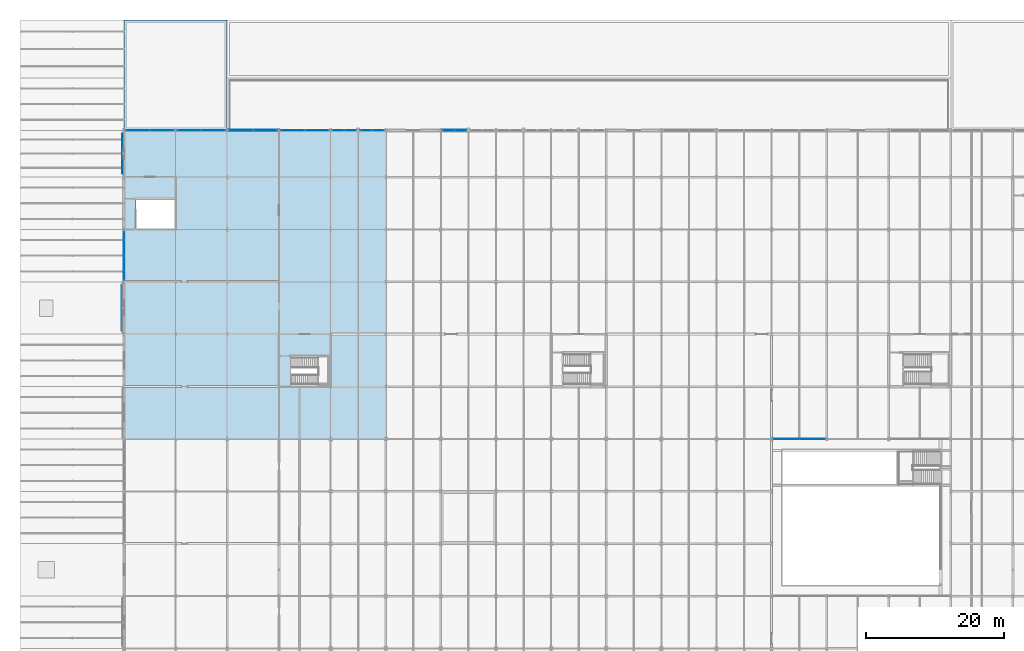
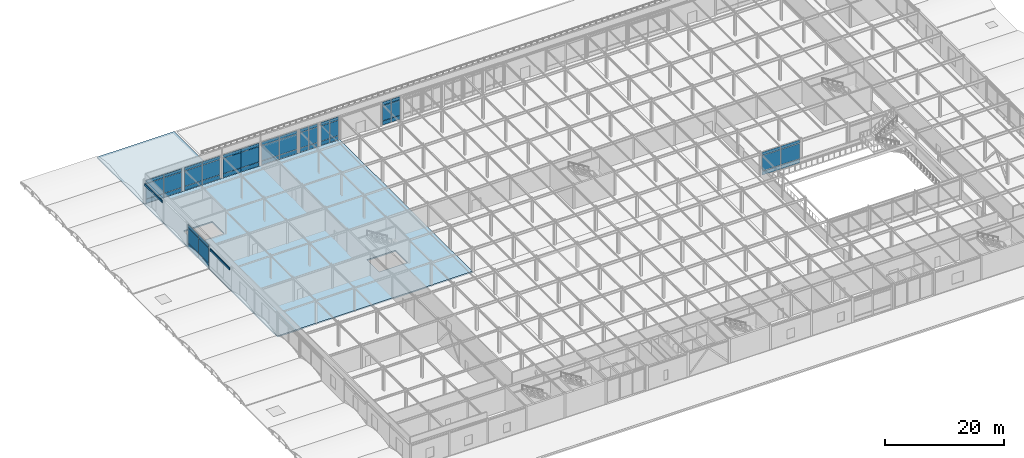
# One storey, part 89 of 113: 56 plates, 2 slabs, 9 elements without a shape of their own.
"""IFC4 building model written with IfcOpenShell, lengths in metres."""

from ifc_helpers import new_model, si_unit, direction, frame, origin, origin_2d, place, context, subcontext, project, spatial, polyline, rectangle, outline, extrude, material, layer, layer_set, type_object, element, aggregate, save


model = new_model("IFC4")

# Units and contexts
model_context = context("Model", 3, precision=1e-05, world=origin(), true_north=direction((0.0, 1.0)))
body_context = subcontext(model_context, "Body", "Model", "MODEL_VIEW")
ifc_project = project(units=[si_unit("LENGTHUNIT", "METRE"), si_unit("AREAUNIT", "SQUARE_METRE"), si_unit("VOLUMEUNIT", "CUBIC_METRE"), si_unit("PLANEANGLEUNIT", "RADIAN"), si_unit("MASSUNIT", "GRAM", prefix="KILO")], contexts=[model_context])

# Site, building, storey
site_placement = place(None, origin())
site = spatial("IfcSite", under=ifc_project, at=site_placement, CompositionType="ELEMENT")
building_placement = place(site_placement, origin())
building = spatial("IfcBuilding", under=site, at=building_placement, Name="Shalkamar Park Central Library", CompositionType="ELEMENT")
storey_placement = place(building_placement, frame((0.0, 0.0, 5.39990234375)))
storey = spatial("IfcBuildingStorey", under=building, at=storey_placement, Name="L02", CompositionType="ELEMENT", Elevation=5.39990234375)

# Plate
ifc_material_1 = material(Name="Anodized bronze architectural frieze plate", Category="aluminium")
ifc_layer_1 = layer(ifc_material_1, 0.110107421875)
ifc_layer_set_1 = layer_set([ifc_layer_1], Name="BronzeSpandrelFriezePlate_110")
plate_type_1 = type_object("IfcPlateType", Name="Bronze Spandrel Frieze Plate 110", PredefinedType="USERDEFINED", material=ifc_layer_set_1)
plate_1_placement = place(storey_placement, frame((134.804931640625, 334.60009765625, 4.16796875), z_axis=(0.0, 0.0, 1.0), x_axis=(1.0, 0.0, 0.0)))
element("IfcPlate", 1, at=plate_1_placement, inside=storey, type_object=plate_type_1, Name="Bronze Spandrel Frieze Plate L02-031", ObjectType="CLADDING", PredefinedType="USERDEFINED", context=body_context, shape_type="SweptSolid", body=[
    extrude(rectangle(XDim=0.110107421875, YDim=5.827880859375, at=origin_2d()), origin(), (0.0, 0.0, 1.0), 0.449951171875),
])

# Slab
ifc_material_2 = material(Name="Concrete C35/45", Category="concrete")
ifc_layer_2 = layer(ifc_material_2, 0.25)
ifc_layer_set_2 = layer_set([ifc_layer_2], Name="Concrete C35/45")
slab_type_1 = type_object("IfcSlabType", Name="Flat Roof Slab 140", PredefinedType="ROOF", material=ifc_layer_set_2)
slab_1_placement = place(storey_placement, frame((0.0, 0.0, -0.25)))
element("IfcSlab", 2, at=slab_1_placement, inside=storey, type_object=slab_type_1, Name="Flat Roof Slab RF-L01-NW", PredefinedType="ROOF", context=body_context, shape_type="SweptSolid", body=[
    extrude(outline(polyline([(135.0, 338.0), (150.0, 338.0), (150.0, 354.0), (135.0, 354.0), (135.0, 338.0)])), origin(), (0.0, 0.0, 1.0), 0.25),
])

# Curtain wall, plates
ifc_material_3 = material(Name="Thermally broken aluminium and triple low-e curtain wall", Category="aluminium")
ifc_layer_3 = layer(ifc_material_3, 0.27001953125)
ifc_layer_set_3 = layer_set([ifc_layer_3], Name="AtriumGlazedScreen_118")
curtain_wall_type_1 = type_object("IfcCurtainWallType", Name="Atrium Glazed Screen 118", PredefinedType="USERDEFINED", material=ifc_layer_set_3)
curtain_wall_1_placement = place(storey_placement, origin())
curtain_wall_1 = element("IfcCurtainWall", 3, at=curtain_wall_1_placement, inside=storey, type_object=curtain_wall_type_1, Name="Atrium Glazed Screen CW-L02-175", ObjectType="ATRIUM GLAZED SCREEN", PredefinedType="USERDEFINED")
ifc_material_4 = material(Name="Tempered clear atrium glass", Category="glass")
ifc_layer_4 = layer(ifc_material_4, 0.011962890625)
ifc_layer_set_4 = layer_set([ifc_layer_4], Name="InteriorAtriumGlassPanel_12")
plate_type_2 = type_object("IfcPlateType", Name="Interior Atrium Glass Panel 12", PredefinedType="CURTAIN_PANEL", material=ifc_layer_set_4)
plate_2_placement = place(storey_placement, frame((231.140869140625, 293.199951171875, 0.06494140625), z_axis=(0.0, 0.0, 1.0), x_axis=(1.0, 0.0, 0.0)))
plate_2 = element("IfcPlate", 4, at=plate_2_placement, type_object=plate_type_2, Name="CW-118 panel 1.1", PredefinedType="CURTAIN_PANEL", context=body_context, shape_type="SweptSolid", body=[
    extrude(rectangle(XDim=3.66357421875, YDim=0.011962890625, at=origin_2d()), origin(), (0.0, 0.0, 1.0), 0.802490234375),
])
plate_3_placement = place(storey_placement, frame((231.140869140625, 293.199951171875, 0.9326171875), z_axis=(0.0, 0.0, 1.0), x_axis=(1.0, 0.0, 0.0)))
plate_3 = element("IfcPlate", 5, at=plate_3_placement, type_object=plate_type_2, Name="CW-118 panel 1.2", PredefinedType="CURTAIN_PANEL", context=body_context, shape_type="SweptSolid", body=[
    extrude(rectangle(XDim=3.66357421875, YDim=0.011962890625, at=origin_2d()), origin(), (0.0, 0.0, 1.0), 3.14501953125),
])
plate_4_placement = place(storey_placement, frame((231.140869140625, 293.199951171875, 4.142578125), z_axis=(0.0, 0.0, 1.0), x_axis=(1.0, 0.0, 0.0)))
plate_4 = element("IfcPlate", 6, at=plate_4_placement, type_object=plate_type_2, Name="CW-118 panel 1.3", PredefinedType="CURTAIN_PANEL", context=body_context, shape_type="SweptSolid", body=[
    extrude(rectangle(XDim=3.66357421875, YDim=0.011962890625, at=origin_2d()), origin(), (0.0, 0.0, 1.0), 0.652587890625),
])
plate_5_placement = place(storey_placement, frame((234.88427734375, 293.199951171875, 0.06494140625), z_axis=(0.0, 0.0, 1.0), x_axis=(1.0, 0.0, 0.0)))
plate_5 = element("IfcPlate", 7, at=plate_5_placement, type_object=plate_type_2, Name="CW-118 panel 2.1", PredefinedType="CURTAIN_PANEL", context=body_context, shape_type="SweptSolid", body=[
    extrude(rectangle(XDim=3.66357421875, YDim=0.011962890625, at=origin_2d()), origin(), (0.0, 0.0, 1.0), 0.802490234375),
])
plate_6_placement = place(storey_placement, frame((234.88427734375, 293.199951171875, 0.9326171875), z_axis=(0.0, 0.0, 1.0), x_axis=(1.0, 0.0, 0.0)))
plate_6 = element("IfcPlate", 8, at=plate_6_placement, type_object=plate_type_2, Name="CW-118 panel 2.2", PredefinedType="CURTAIN_PANEL", context=body_context, shape_type="SweptSolid", body=[
    extrude(rectangle(XDim=3.66357421875, YDim=0.011962890625, at=origin_2d()), origin(), (0.0, 0.0, 1.0), 3.14501953125),
])
plate_7_placement = place(storey_placement, frame((234.88427734375, 293.199951171875, 4.142578125), z_axis=(0.0, 0.0, 1.0), x_axis=(1.0, 0.0, 0.0)))
plate_7 = element("IfcPlate", 9, at=plate_7_placement, type_object=plate_type_2, Name="CW-118 panel 2.3", PredefinedType="CURTAIN_PANEL", context=body_context, shape_type="SweptSolid", body=[
    extrude(rectangle(XDim=3.66357421875, YDim=0.011962890625, at=origin_2d()), origin(), (0.0, 0.0, 1.0), 0.652587890625),
])
aggregate(curtain_wall_1, [plate_2, plate_3, plate_4, plate_5, plate_6, plate_7])

# Plate
ifc_material_5 = material(Name="Anodized bronze stepped frieze plate", Category="aluminium")
ifc_layer_5 = layer(ifc_material_5, 0.139892578125)
ifc_layer_set_5 = layer_set([ifc_layer_5], Name="PostmodernKeystoneFriezePlate_140")
plate_type_3 = type_object("IfcPlateType", Name="Postmodern Keystone Frieze Plate 140", PredefinedType="USERDEFINED", material=ifc_layer_set_5)
plate_8_placement = place(storey_placement, frame((134.7900390625, 312.199951171875, 4.1279296875), z_axis=(0.0, 0.0, 1.0), x_axis=(1.0, 0.0, 0.0)))
element("IfcPlate", 10, at=plate_8_placement, inside=storey, type_object=plate_type_3, Name="Bronze Spandrel Frieze Plate L02-030", ObjectType="CLADDING", PredefinedType="USERDEFINED", context=body_context, shape_type="SweptSolid", body=[
    extrude(rectangle(XDim=0.139892578125, YDim=6.6279296875, at=origin_2d()), origin(), (0.0, 0.0, 1.0), 0.449951171875),
])

# Curtain wall, plates
ifc_layer_6 = layer(ifc_material_3, 0.260009765625)
ifc_layer_set_6 = layer_set([ifc_layer_6], Name="UnitisedCurtainWall_23")
curtain_wall_type_2 = type_object("IfcCurtainWallType", Name="Unitised Curtain Wall 23", PredefinedType="USERDEFINED", material=ifc_layer_set_6)
curtain_wall_2_placement = place(storey_placement, origin())
curtain_wall_2 = element("IfcCurtainWall", 11, at=curtain_wall_2_placement, inside=storey, type_object=curtain_wall_type_2, Name="Unitised Curtain Wall CW-L02-025", ObjectType="UNITISED CURTAIN WALL", PredefinedType="USERDEFINED")
ifc_material_6 = material(Name="Triple-glazed solar-control glass", Category="glass")
ifc_layer_7 = layer(ifc_material_6, 0.031982421875)
ifc_layer_set_7 = layer_set([ifc_layer_7], Name="SolarControlVisionPanel_32")
plate_type_4 = type_object("IfcPlateType", Name="Solar Control Vision Panel 32", PredefinedType="CURTAIN_PANEL", material=ifc_layer_set_7)
plate_9_placement = place(storey_placement, frame((159.494873046875, 338.0, 0.06005859375), z_axis=(0.0, 0.0, 1.0), x_axis=(1.0, 0.0, 0.0)))
plate_9 = element("IfcPlate", 12, at=plate_9_placement, type_object=plate_type_4, Name="CW-23 panel 1.1", PredefinedType="CURTAIN_PANEL", context=body_context, shape_type="SweptSolid", body=[
    extrude(rectangle(XDim=3.431884765625, YDim=0.031982421875, at=origin_2d()), origin(), (0.0, 0.0, 1.0), 0.81005859375),
])
plate_10_placement = place(storey_placement, frame((159.494873046875, 338.0, 0.93017578125), z_axis=(0.0, 0.0, 1.0), x_axis=(1.0, 0.0, 0.0)))
plate_10 = element("IfcPlate", 13, at=plate_10_placement, type_object=plate_type_4, Name="CW-23 panel 1.2", PredefinedType="CURTAIN_PANEL", context=body_context, shape_type="SweptSolid", body=[
    extrude(rectangle(XDim=3.431884765625, YDim=0.031982421875, at=origin_2d()), origin(), (0.0, 0.0, 1.0), 3.139892578125),
])
plate_11_placement = place(storey_placement, frame((159.494873046875, 338.0, 4.13037109375), z_axis=(0.0, 0.0, 1.0), x_axis=(1.0, 0.0, 0.0)))
plate_11 = element("IfcPlate", 14, at=plate_11_placement, type_object=plate_type_4, Name="CW-23 panel 1.3", PredefinedType="CURTAIN_PANEL", context=body_context, shape_type="SweptSolid", body=[
    extrude(rectangle(XDim=3.431884765625, YDim=0.031982421875, at=origin_2d()), origin(), (0.0, 0.0, 1.0), 0.659912109375),
])
plate_12_placement = place(storey_placement, frame((163.001953125, 338.0, 0.06005859375), z_axis=(0.0, 0.0, 1.0), x_axis=(1.0, 0.0, 0.0)))
plate_12 = element("IfcPlate", 15, at=plate_12_placement, type_object=plate_type_4, Name="CW-23 panel 2.1", PredefinedType="CURTAIN_PANEL", context=body_context, shape_type="SweptSolid", body=[
    extrude(rectangle(XDim=3.431884765625, YDim=0.031982421875, at=origin_2d()), origin(), (0.0, 0.0, 1.0), 0.81005859375),
])
plate_13_placement = place(storey_placement, frame((163.001953125, 338.0, 0.93017578125), z_axis=(0.0, 0.0, 1.0), x_axis=(1.0, 0.0, 0.0)))
plate_13 = element("IfcPlate", 16, at=plate_13_placement, type_object=plate_type_4, Name="CW-23 panel 2.2", PredefinedType="CURTAIN_PANEL", context=body_context, shape_type="SweptSolid", body=[
    extrude(rectangle(XDim=3.431884765625, YDim=0.031982421875, at=origin_2d()), origin(), (0.0, 0.0, 1.0), 3.139892578125),
])
plate_14_placement = place(storey_placement, frame((163.001953125, 338.0, 4.13037109375), z_axis=(0.0, 0.0, 1.0), x_axis=(1.0, 0.0, 0.0)))
plate_14 = element("IfcPlate", 17, at=plate_14_placement, type_object=plate_type_4, Name="CW-23 panel 2.3", PredefinedType="CURTAIN_PANEL", context=body_context, shape_type="SweptSolid", body=[
    extrude(rectangle(XDim=3.431884765625, YDim=0.031982421875, at=origin_2d()), origin(), (0.0, 0.0, 1.0), 0.659912109375),
])
aggregate(curtain_wall_2, [plate_9, plate_10, plate_11, plate_12, plate_13, plate_14])

ifc_layer_8 = layer(ifc_material_3, 0.25)
ifc_layer_set_8 = layer_set([ifc_layer_8], Name="UnitisedCurtainWall_22")
curtain_wall_type_3 = type_object("IfcCurtainWallType", Name="Unitised Curtain Wall 22", PredefinedType="USERDEFINED", material=ifc_layer_set_8)
curtain_wall_3_placement = place(storey_placement, origin())
curtain_wall_3 = element("IfcCurtainWall", 18, at=curtain_wall_3_placement, inside=storey, type_object=curtain_wall_type_3, Name="Unitised Curtain Wall CW-L02-024", ObjectType="UNITISED CURTAIN WALL", PredefinedType="USERDEFINED")
ifc_material_7 = material(Name="Insulated aluminium spandrel panel", Category="aluminium")
ifc_layer_9 = layer(ifc_material_7, 0.080078125)
ifc_layer_set_9 = layer_set([ifc_layer_9], Name="SpandrelShadowboxPanel_80")
plate_type_5 = type_object("IfcPlateType", Name="Spandrel Shadowbox Panel 80", PredefinedType="CURTAIN_PANEL", material=ifc_layer_set_9)
plate_15_placement = place(storey_placement, frame((152.014404296875, 338.0, 0.06005859375), z_axis=(0.0, 0.0, 1.0), x_axis=(1.0, 0.0, 0.0)))
plate_15 = element("IfcPlate", 19, at=plate_15_placement, type_object=plate_type_5, Name="CW-22 panel 1.1", PredefinedType="CURTAIN_PANEL", context=body_context, shape_type="SweptSolid", body=[
    extrude(rectangle(XDim=3.4208984375, YDim=0.080078125, at=origin_2d()), origin(), (0.0, 0.0, 1.0), 0.81005859375),
])
plate_16_placement = place(storey_placement, frame((152.014404296875, 338.0, 0.93017578125), z_axis=(0.0, 0.0, 1.0), x_axis=(1.0, 0.0, 0.0)))
plate_16 = element("IfcPlate", 20, at=plate_16_placement, type_object=plate_type_5, Name="CW-22 panel 1.2", PredefinedType="CURTAIN_PANEL", context=body_context, shape_type="SweptSolid", body=[
    extrude(rectangle(XDim=3.4208984375, YDim=0.080078125, at=origin_2d()), origin(), (0.0, 0.0, 1.0), 3.139892578125),
])
plate_17_placement = place(storey_placement, frame((152.014404296875, 338.0, 4.13037109375), z_axis=(0.0, 0.0, 1.0), x_axis=(1.0, 0.0, 0.0)))
plate_17 = element("IfcPlate", 21, at=plate_17_placement, type_object=plate_type_5, Name="CW-22 panel 1.3", PredefinedType="CURTAIN_PANEL", context=body_context, shape_type="SweptSolid", body=[
    extrude(rectangle(XDim=3.4208984375, YDim=0.080078125, at=origin_2d()), origin(), (0.0, 0.0, 1.0), 0.659912109375),
])
plate_18_placement = place(storey_placement, frame((155.510498046875, 338.0, 0.06005859375), z_axis=(0.0, 0.0, 1.0), x_axis=(1.0, 0.0, 0.0)))
plate_18 = element("IfcPlate", 22, at=plate_18_placement, type_object=plate_type_5, Name="CW-22 panel 2.1", PredefinedType="CURTAIN_PANEL", context=body_context, shape_type="SweptSolid", body=[
    extrude(rectangle(XDim=3.4208984375, YDim=0.080078125, at=origin_2d()), origin(), (0.0, 0.0, 1.0), 0.81005859375),
])
plate_19_placement = place(storey_placement, frame((155.510498046875, 338.0, 0.93017578125), z_axis=(0.0, 0.0, 1.0), x_axis=(1.0, 0.0, 0.0)))
plate_19 = element("IfcPlate", 23, at=plate_19_placement, type_object=plate_type_5, Name="CW-22 panel 2.2", PredefinedType="CURTAIN_PANEL", context=body_context, shape_type="SweptSolid", body=[
    extrude(rectangle(XDim=3.4208984375, YDim=0.080078125, at=origin_2d()), origin(), (0.0, 0.0, 1.0), 3.139892578125),
])
plate_20_placement = place(storey_placement, frame((155.510498046875, 338.0, 4.13037109375), z_axis=(0.0, 0.0, 1.0), x_axis=(1.0, 0.0, 0.0)))
plate_20 = element("IfcPlate", 24, at=plate_20_placement, type_object=plate_type_5, Name="CW-22 panel 2.3", PredefinedType="CURTAIN_PANEL", context=body_context, shape_type="SweptSolid", body=[
    extrude(rectangle(XDim=3.4208984375, YDim=0.080078125, at=origin_2d()), origin(), (0.0, 0.0, 1.0), 0.659912109375),
])
aggregate(curtain_wall_3, [plate_15, plate_16, plate_17, plate_18, plate_19, plate_20])

ifc_layer_10 = layer(ifc_material_3, 0.264892578125)
ifc_layer_set_10 = layer_set([ifc_layer_10], Name="UnitisedCurtainWall_26")
curtain_wall_type_4 = type_object("IfcCurtainWallType", Name="Unitised Curtain Wall 26", PredefinedType="USERDEFINED", material=ifc_layer_set_10)
curtain_wall_4_placement = place(storey_placement, origin())
curtain_wall_4 = element("IfcCurtainWall", 25, at=curtain_wall_4_placement, inside=storey, type_object=curtain_wall_type_4, Name="Unitised Curtain Wall CW-L02-028", ObjectType="UNITISED CURTAIN WALL", PredefinedType="USERDEFINED")
plate_21_placement = place(storey_placement, frame((182.11669921875, 338.0, 0.070068359375), z_axis=(0.0, 0.0, 1.0), x_axis=(1.0, 0.0, 0.0)))
plate_21 = element("IfcPlate", 26, at=plate_21_placement, type_object=plate_type_5, Name="CW-26 panel 1.1", PredefinedType="CURTAIN_PANEL", context=body_context, shape_type="SweptSolid", body=[
    extrude(rectangle(XDim=1.64892578125, YDim=0.080078125, at=origin_2d()), origin(), (0.0, 0.0, 1.0), 0.794921875),
])
plate_22_placement = place(storey_placement, frame((182.11669921875, 338.0, 0.93505859375), z_axis=(0.0, 0.0, 1.0), x_axis=(1.0, 0.0, 0.0)))
plate_22 = element("IfcPlate", 27, at=plate_22_placement, type_object=plate_type_5, Name="CW-26 panel 1.2", PredefinedType="CURTAIN_PANEL", context=body_context, shape_type="SweptSolid", body=[
    extrude(rectangle(XDim=1.64892578125, YDim=0.080078125, at=origin_2d()), origin(), (0.0, 0.0, 1.0), 3.1298828125),
])
plate_23_placement = place(storey_placement, frame((182.11669921875, 338.0, 4.135009765625), z_axis=(0.0, 0.0, 1.0), x_axis=(1.0, 0.0, 0.0)))
plate_23 = element("IfcPlate", 28, at=plate_23_placement, type_object=plate_type_5, Name="CW-26 panel 1.3", PredefinedType="CURTAIN_PANEL", context=body_context, shape_type="SweptSolid", body=[
    extrude(rectangle(XDim=1.64892578125, YDim=0.080078125, at=origin_2d()), origin(), (0.0, 0.0, 1.0), 0.64501953125),
])
plate_24_placement = place(storey_placement, frame((183.8505859375, 338.0, 0.070068359375), z_axis=(0.0, 0.0, 1.0), x_axis=(1.0, 0.0, 0.0)))
plate_24 = element("IfcPlate", 29, at=plate_24_placement, type_object=plate_type_5, Name="CW-26 panel 2.1", PredefinedType="CURTAIN_PANEL", context=body_context, shape_type="SweptSolid", body=[
    extrude(rectangle(XDim=1.64892578125, YDim=0.080078125, at=origin_2d()), origin(), (0.0, 0.0, 1.0), 0.794921875),
])
plate_25_placement = place(storey_placement, frame((183.8505859375, 338.0, 0.93505859375), z_axis=(0.0, 0.0, 1.0), x_axis=(1.0, 0.0, 0.0)))
plate_25 = element("IfcPlate", 30, at=plate_25_placement, type_object=plate_type_5, Name="CW-26 panel 2.2", PredefinedType="CURTAIN_PANEL", context=body_context, shape_type="SweptSolid", body=[
    extrude(rectangle(XDim=1.64892578125, YDim=0.080078125, at=origin_2d()), origin(), (0.0, 0.0, 1.0), 3.1298828125),
])
plate_26_placement = place(storey_placement, frame((183.8505859375, 338.0, 4.135009765625), z_axis=(0.0, 0.0, 1.0), x_axis=(1.0, 0.0, 0.0)))
plate_26 = element("IfcPlate", 31, at=plate_26_placement, type_object=plate_type_5, Name="CW-26 panel 2.3", PredefinedType="CURTAIN_PANEL", context=body_context, shape_type="SweptSolid", body=[
    extrude(rectangle(XDim=1.64892578125, YDim=0.080078125, at=origin_2d()), origin(), (0.0, 0.0, 1.0), 0.64501953125),
])
aggregate(curtain_wall_4, [plate_21, plate_22, plate_23, plate_24, plate_25, plate_26])

# Slab
ifc_layer_11 = layer(ifc_material_2, 0.260009765625)
ifc_layer_set_11 = layer_set([ifc_layer_11], Name="Concrete C35/45")
slab_type_2 = type_object("IfcSlabType", Name="Suspended Floor Slab 260", PredefinedType="FLOOR", material=ifc_layer_set_11)
slab_2_placement = place(storey_placement, frame((0.0, 0.0, -0.260009765625)))
element("IfcSlab", 32, at=slab_2_placement, inside=storey, type_object=slab_type_2, Name="Level L02 Composite Floor Slab NW", PredefinedType="FLOOR", context=body_context, shape_type="SweptSolid", body=[
    extrude(outline(polyline([(135.0, 293.199951171875), (135.0, 338.0), (173.0, 338.0), (173.0, 293.199951171875), (135.0, 293.199951171875)]), holes=[polyline([(164.824951171875, 300.97509765625), (164.824951171875, 305.074951171875), (159.27490234375, 305.074951171875), (159.27490234375, 300.97509765625), (164.824951171875, 300.97509765625)]), polyline([(142.324951171875, 323.77490234375), (142.324951171875, 327.875), (136.77490234375, 327.875), (136.77490234375, 323.77490234375), (142.324951171875, 323.77490234375)])]), origin(), (0.0, 0.0, 1.0), 0.260009765625),
])

# Curtain wall, plates
ifc_layer_12 = layer(ifc_material_3, 0.280029296875)
ifc_layer_set_12 = layer_set([ifc_layer_12], Name="UnitisedCurtainWall_21")
curtain_wall_type_5 = type_object("IfcCurtainWallType", Name="Unitised Curtain Wall 21", PredefinedType="USERDEFINED", material=ifc_layer_set_12)
curtain_wall_5_placement = place(storey_placement, origin())
curtain_wall_5 = element("IfcCurtainWall", 33, at=curtain_wall_5_placement, inside=storey, type_object=curtain_wall_type_5, Name="Unitised Curtain Wall CW-L02-023", ObjectType="UNITISED CURTAIN WALL", PredefinedType="USERDEFINED")
ifc_material_8 = material(Name="Triple-glazed laminated glass", Category="glass")
ifc_layer_13 = layer(ifc_material_8, 0.06005859375)
ifc_layer_set_13 = layer_set([ifc_layer_13], Name="TripleGlazedPodiumPanel_60")
plate_type_6 = type_object("IfcPlateType", Name="Triple Glazed Podium Panel 60", PredefinedType="CURTAIN_PANEL", material=ifc_layer_set_13)
plate_27_placement = place(storey_placement, frame((144.4931640625, 338.0, 0.070068359375), z_axis=(0.0, 0.0, 1.0), x_axis=(1.0, 0.0, 0.0)))
plate_27 = element("IfcPlate", 34, at=plate_27_placement, type_object=plate_type_6, Name="CW-21 panel 1.1", PredefinedType="CURTAIN_PANEL", context=body_context, shape_type="SweptSolid", body=[
    extrude(rectangle(XDim=3.3984375, YDim=0.06005859375, at=origin_2d()), origin(), (0.0, 0.0, 1.0), 0.794921875),
])
plate_28_placement = place(storey_placement, frame((144.4931640625, 338.0, 0.93505859375), z_axis=(0.0, 0.0, 1.0), x_axis=(1.0, 0.0, 0.0)))
plate_28 = element("IfcPlate", 35, at=plate_28_placement, type_object=plate_type_6, Name="CW-21 panel 1.2", PredefinedType="CURTAIN_PANEL", context=body_context, shape_type="SweptSolid", body=[
    extrude(rectangle(XDim=3.3984375, YDim=0.06005859375, at=origin_2d()), origin(), (0.0, 0.0, 1.0), 3.1298828125),
])
plate_29_placement = place(storey_placement, frame((144.4931640625, 338.0, 4.135009765625), z_axis=(0.0, 0.0, 1.0), x_axis=(1.0, 0.0, 0.0)))
plate_29 = element("IfcPlate", 36, at=plate_29_placement, type_object=plate_type_6, Name="CW-21 panel 1.3", PredefinedType="CURTAIN_PANEL", context=body_context, shape_type="SweptSolid", body=[
    extrude(rectangle(XDim=3.3984375, YDim=0.06005859375, at=origin_2d()), origin(), (0.0, 0.0, 1.0), 0.64501953125),
])
plate_30_placement = place(storey_placement, frame((147.981689453125, 338.0, 0.070068359375), z_axis=(0.0, 0.0, 1.0), x_axis=(1.0, 0.0, 0.0)))
plate_30 = element("IfcPlate", 37, at=plate_30_placement, type_object=plate_type_6, Name="CW-21 panel 2.1", PredefinedType="CURTAIN_PANEL", context=body_context, shape_type="SweptSolid", body=[
    extrude(rectangle(XDim=3.3984375, YDim=0.06005859375, at=origin_2d()), origin(), (0.0, 0.0, 1.0), 0.794921875),
])
plate_31_placement = place(storey_placement, frame((147.981689453125, 338.0, 0.93505859375), z_axis=(0.0, 0.0, 1.0), x_axis=(1.0, 0.0, 0.0)))
plate_31 = element("IfcPlate", 38, at=plate_31_placement, type_object=plate_type_6, Name="CW-21 panel 2.2", PredefinedType="CURTAIN_PANEL", context=body_context, shape_type="SweptSolid", body=[
    extrude(rectangle(XDim=3.3984375, YDim=0.06005859375, at=origin_2d()), origin(), (0.0, 0.0, 1.0), 3.1298828125),
])
plate_32_placement = place(storey_placement, frame((147.981689453125, 338.0, 4.135009765625), z_axis=(0.0, 0.0, 1.0), x_axis=(1.0, 0.0, 0.0)))
plate_32 = element("IfcPlate", 39, at=plate_32_placement, type_object=plate_type_6, Name="CW-21 panel 2.3", PredefinedType="CURTAIN_PANEL", context=body_context, shape_type="SweptSolid", body=[
    extrude(rectangle(XDim=3.3984375, YDim=0.06005859375, at=origin_2d()), origin(), (0.0, 0.0, 1.0), 0.64501953125),
])
aggregate(curtain_wall_5, [plate_27, plate_28, plate_29, plate_30, plate_31, plate_32])

ifc_layer_14 = layer(ifc_material_3, 0.27001953125)
ifc_layer_set_14 = layer_set([ifc_layer_14], Name="UnitisedCurtainWall_25")
curtain_wall_type_6 = type_object("IfcCurtainWallType", Name="Unitised Curtain Wall 25", PredefinedType="USERDEFINED", material=ifc_layer_set_14)
curtain_wall_6_placement = place(storey_placement, origin())
curtain_wall_6 = element("IfcCurtainWall", 40, at=curtain_wall_6_placement, inside=storey, type_object=curtain_wall_type_6, Name="Unitised Curtain Wall CW-L02-027", ObjectType="UNITISED CURTAIN WALL", PredefinedType="USERDEFINED")
plate_33_placement = place(storey_placement, frame((170.148193359375, 338.0, 0.06494140625), z_axis=(0.0, 0.0, 1.0), x_axis=(1.0, 0.0, 0.0)))
plate_33 = element("IfcPlate", 41, at=plate_33_placement, type_object=plate_type_6, Name="CW-25 panel 1.1", PredefinedType="CURTAIN_PANEL", context=body_context, shape_type="SweptSolid", body=[
    extrude(rectangle(XDim=1.656494140625, YDim=0.06005859375, at=origin_2d()), origin(), (0.0, 0.0, 1.0), 0.802490234375),
])
plate_34_placement = place(storey_placement, frame((170.148193359375, 338.0, 0.9326171875), z_axis=(0.0, 0.0, 1.0), x_axis=(1.0, 0.0, 0.0)))
plate_34 = element("IfcPlate", 42, at=plate_34_placement, type_object=plate_type_6, Name="CW-25 panel 1.2", PredefinedType="CURTAIN_PANEL", context=body_context, shape_type="SweptSolid", body=[
    extrude(rectangle(XDim=1.656494140625, YDim=0.06005859375, at=origin_2d()), origin(), (0.0, 0.0, 1.0), 3.135009765625),
])
plate_35_placement = place(storey_placement, frame((170.148193359375, 338.0, 4.13232421875), z_axis=(0.0, 0.0, 1.0), x_axis=(1.0, 0.0, 0.0)))
plate_35 = element("IfcPlate", 43, at=plate_35_placement, type_object=plate_type_6, Name="CW-25 panel 1.3", PredefinedType="CURTAIN_PANEL", context=body_context, shape_type="SweptSolid", body=[
    extrude(rectangle(XDim=1.656494140625, YDim=0.06005859375, at=origin_2d()), origin(), (0.0, 0.0, 1.0), 0.652587890625),
])
plate_36_placement = place(storey_placement, frame((171.884521484375, 338.0, 0.06494140625), z_axis=(0.0, 0.0, 1.0), x_axis=(1.0, 0.0, 0.0)))
plate_36 = element("IfcPlate", 44, at=plate_36_placement, type_object=plate_type_6, Name="CW-25 panel 2.1", PredefinedType="CURTAIN_PANEL", context=body_context, shape_type="SweptSolid", body=[
    extrude(rectangle(XDim=1.656494140625, YDim=0.06005859375, at=origin_2d()), origin(), (0.0, 0.0, 1.0), 0.802490234375),
])
plate_37_placement = place(storey_placement, frame((171.884521484375, 338.0, 0.9326171875), z_axis=(0.0, 0.0, 1.0), x_axis=(1.0, 0.0, 0.0)))
plate_37 = element("IfcPlate", 45, at=plate_37_placement, type_object=plate_type_6, Name="CW-25 panel 2.2", PredefinedType="CURTAIN_PANEL", context=body_context, shape_type="SweptSolid", body=[
    extrude(rectangle(XDim=1.656494140625, YDim=0.06005859375, at=origin_2d()), origin(), (0.0, 0.0, 1.0), 3.135009765625),
])
plate_38_placement = place(storey_placement, frame((171.884521484375, 338.0, 4.13232421875), z_axis=(0.0, 0.0, 1.0), x_axis=(1.0, 0.0, 0.0)))
plate_38 = element("IfcPlate", 46, at=plate_38_placement, type_object=plate_type_6, Name="CW-25 panel 2.3", PredefinedType="CURTAIN_PANEL", context=body_context, shape_type="SweptSolid", body=[
    extrude(rectangle(XDim=1.656494140625, YDim=0.06005859375, at=origin_2d()), origin(), (0.0, 0.0, 1.0), 0.652587890625),
])
aggregate(curtain_wall_6, [plate_33, plate_34, plate_35, plate_36, plate_37, plate_38])

ifc_layer_15 = layer(ifc_material_3, 0.264892578125)
ifc_layer_set_15 = layer_set([ifc_layer_15], Name="UnitisedCurtainWall_20")
curtain_wall_type_7 = type_object("IfcCurtainWallType", Name="Unitised Curtain Wall 20", PredefinedType="USERDEFINED", material=ifc_layer_set_15)
curtain_wall_7_placement = place(storey_placement, origin())
curtain_wall_7 = element("IfcCurtainWall", 47, at=curtain_wall_7_placement, inside=storey, type_object=curtain_wall_type_7, Name="Unitised Curtain Wall CW-L02-022", ObjectType="UNITISED CURTAIN WALL", PredefinedType="USERDEFINED")
ifc_material_9 = material(Name="Triple-glazed low-e safety glass", Category="glass")
ifc_layer_16 = layer(ifc_material_9, 0.0439453125)
ifc_layer_set_16 = layer_set([ifc_layer_16], Name="TripleGlazedVisionPanel_44")
plate_type_7 = type_object("IfcPlateType", Name="Triple Glazed Vision Panel 44", PredefinedType="CURTAIN_PANEL", material=ifc_layer_set_16)
plate_39_placement = place(storey_placement, frame((137.01708984375, 338.0, 0.070068359375), z_axis=(0.0, 0.0, 1.0), x_axis=(1.0, 0.0, 0.0)))
plate_39 = element("IfcPlate", 48, at=plate_39_placement, type_object=plate_type_7, Name="CW-20 panel 1.1", PredefinedType="CURTAIN_PANEL", context=body_context, shape_type="SweptSolid", body=[
    extrude(rectangle(XDim=3.406005859375, YDim=0.0439453125, at=origin_2d()), origin(), (0.0, 0.0, 1.0), 0.794921875),
])
plate_40_placement = place(storey_placement, frame((137.01708984375, 338.0, 0.93505859375), z_axis=(0.0, 0.0, 1.0), x_axis=(1.0, 0.0, 0.0)))
plate_40 = element("IfcPlate", 49, at=plate_40_placement, type_object=plate_type_7, Name="CW-20 panel 1.2", PredefinedType="CURTAIN_PANEL", context=body_context, shape_type="SweptSolid", body=[
    extrude(rectangle(XDim=3.406005859375, YDim=0.0439453125, at=origin_2d()), origin(), (0.0, 0.0, 1.0), 3.1298828125),
])
plate_41_placement = place(storey_placement, frame((137.01708984375, 338.0, 4.135009765625), z_axis=(0.0, 0.0, 1.0), x_axis=(1.0, 0.0, 0.0)))
plate_41 = element("IfcPlate", 50, at=plate_41_placement, type_object=plate_type_7, Name="CW-20 panel 1.3", PredefinedType="CURTAIN_PANEL", context=body_context, shape_type="SweptSolid", body=[
    extrude(rectangle(XDim=3.406005859375, YDim=0.0439453125, at=origin_2d()), origin(), (0.0, 0.0, 1.0), 0.64501953125),
])
plate_42_placement = place(storey_placement, frame((140.508056640625, 338.0, 0.070068359375), z_axis=(0.0, 0.0, 1.0), x_axis=(1.0, 0.0, 0.0)))
plate_42 = element("IfcPlate", 51, at=plate_42_placement, type_object=plate_type_7, Name="CW-20 panel 2.1", PredefinedType="CURTAIN_PANEL", context=body_context, shape_type="SweptSolid", body=[
    extrude(rectangle(XDim=3.406005859375, YDim=0.0439453125, at=origin_2d()), origin(), (0.0, 0.0, 1.0), 0.794921875),
])
plate_43_placement = place(storey_placement, frame((140.508056640625, 338.0, 0.93505859375), z_axis=(0.0, 0.0, 1.0), x_axis=(1.0, 0.0, 0.0)))
plate_43 = element("IfcPlate", 52, at=plate_43_placement, type_object=plate_type_7, Name="CW-20 panel 2.2", PredefinedType="CURTAIN_PANEL", context=body_context, shape_type="SweptSolid", body=[
    extrude(rectangle(XDim=3.406005859375, YDim=0.0439453125, at=origin_2d()), origin(), (0.0, 0.0, 1.0), 3.1298828125),
])
plate_44_placement = place(storey_placement, frame((140.508056640625, 338.0, 4.135009765625), z_axis=(0.0, 0.0, 1.0), x_axis=(1.0, 0.0, 0.0)))
plate_44 = element("IfcPlate", 53, at=plate_44_placement, type_object=plate_type_7, Name="CW-20 panel 2.3", PredefinedType="CURTAIN_PANEL", context=body_context, shape_type="SweptSolid", body=[
    extrude(rectangle(XDim=3.406005859375, YDim=0.0439453125, at=origin_2d()), origin(), (0.0, 0.0, 1.0), 0.64501953125),
])
aggregate(curtain_wall_7, [plate_39, plate_40, plate_41, plate_42, plate_43, plate_44])

ifc_layer_17 = layer(ifc_material_3, 0.2548828125)
ifc_layer_set_17 = layer_set([ifc_layer_17], Name="UnitisedCurtainWall_24")
curtain_wall_type_8 = type_object("IfcCurtainWallType", Name="Unitised Curtain Wall 24", PredefinedType="USERDEFINED", material=ifc_layer_set_17)
curtain_wall_8_placement = place(storey_placement, origin())
curtain_wall_8 = element("IfcCurtainWall", 54, at=curtain_wall_8_placement, inside=storey, type_object=curtain_wall_type_8, Name="Unitised Curtain Wall CW-L02-026", ObjectType="UNITISED CURTAIN WALL", PredefinedType="USERDEFINED")
plate_45_placement = place(storey_placement, frame((166.115478515625, 338.0, 0.06494140625), z_axis=(0.0, 0.0, 1.0), x_axis=(1.0, 0.0, 0.0)))
plate_45 = element("IfcPlate", 55, at=plate_45_placement, type_object=plate_type_7, Name="CW-24 panel 1.1", PredefinedType="CURTAIN_PANEL", context=body_context, shape_type="SweptSolid", body=[
    extrude(rectangle(XDim=1.656494140625, YDim=0.0439453125, at=origin_2d()), origin(), (0.0, 0.0, 1.0), 0.802490234375),
])
plate_46_placement = place(storey_placement, frame((166.115478515625, 338.0, 0.9326171875), z_axis=(0.0, 0.0, 1.0), x_axis=(1.0, 0.0, 0.0)))
plate_46 = element("IfcPlate", 56, at=plate_46_placement, type_object=plate_type_7, Name="CW-24 panel 1.2", PredefinedType="CURTAIN_PANEL", context=body_context, shape_type="SweptSolid", body=[
    extrude(rectangle(XDim=1.656494140625, YDim=0.0439453125, at=origin_2d()), origin(), (0.0, 0.0, 1.0), 3.135009765625),
])
plate_47_placement = place(storey_placement, frame((166.115478515625, 338.0, 4.13232421875), z_axis=(0.0, 0.0, 1.0), x_axis=(1.0, 0.0, 0.0)))
plate_47 = element("IfcPlate", 57, at=plate_47_placement, type_object=plate_type_7, Name="CW-24 panel 1.3", PredefinedType="CURTAIN_PANEL", context=body_context, shape_type="SweptSolid", body=[
    extrude(rectangle(XDim=1.656494140625, YDim=0.0439453125, at=origin_2d()), origin(), (0.0, 0.0, 1.0), 0.652587890625),
])
plate_48_placement = place(storey_placement, frame((167.851806640625, 338.0, 0.06494140625), z_axis=(0.0, 0.0, 1.0), x_axis=(1.0, 0.0, 0.0)))
plate_48 = element("IfcPlate", 58, at=plate_48_placement, type_object=plate_type_7, Name="CW-24 panel 2.1", PredefinedType="CURTAIN_PANEL", context=body_context, shape_type="SweptSolid", body=[
    extrude(rectangle(XDim=1.656494140625, YDim=0.0439453125, at=origin_2d()), origin(), (0.0, 0.0, 1.0), 0.802490234375),
])
plate_49_placement = place(storey_placement, frame((167.851806640625, 338.0, 0.9326171875), z_axis=(0.0, 0.0, 1.0), x_axis=(1.0, 0.0, 0.0)))
plate_49 = element("IfcPlate", 59, at=plate_49_placement, type_object=plate_type_7, Name="CW-24 panel 2.2", PredefinedType="CURTAIN_PANEL", context=body_context, shape_type="SweptSolid", body=[
    extrude(rectangle(XDim=1.656494140625, YDim=0.0439453125, at=origin_2d()), origin(), (0.0, 0.0, 1.0), 3.135009765625),
])
plate_50_placement = place(storey_placement, frame((167.851806640625, 338.0, 4.13232421875), z_axis=(0.0, 0.0, 1.0), x_axis=(1.0, 0.0, 0.0)))
plate_50 = element("IfcPlate", 60, at=plate_50_placement, type_object=plate_type_7, Name="CW-24 panel 2.3", PredefinedType="CURTAIN_PANEL", context=body_context, shape_type="SweptSolid", body=[
    extrude(rectangle(XDim=1.656494140625, YDim=0.0439453125, at=origin_2d()), origin(), (0.0, 0.0, 1.0), 0.652587890625),
])
aggregate(curtain_wall_8, [plate_45, plate_46, plate_47, plate_48, plate_49, plate_50])

curtain_wall_9_placement = place(storey_placement, origin())
curtain_wall_9 = element("IfcCurtainWall", 61, at=curtain_wall_9_placement, inside=storey, type_object=curtain_wall_type_3, Name="Unitised Curtain Wall CW-L02-042", ObjectType="UNITISED CURTAIN WALL", PredefinedType="USERDEFINED")
plate_51_placement = place(storey_placement, frame((135.0, 318.033203125, 0.06005859375), z_axis=(0.0, 0.0, 1.0), x_axis=(0.0, 1.0, 0.0)))
plate_51 = element("IfcPlate", 62, at=plate_51_placement, type_object=plate_type_7, Name="CW-22 panel 1.1", PredefinedType="CURTAIN_PANEL", context=body_context, shape_type="SweptSolid", body=[
    extrude(rectangle(XDim=3.45849609375, YDim=0.0439453125, at=origin_2d()), origin(), (0.0, 0.0, 1.0), 0.81005859375),
])
plate_52_placement = place(storey_placement, frame((135.0, 318.033203125, 0.93017578125), z_axis=(0.0, 0.0, 1.0), x_axis=(0.0, 1.0, 0.0)))
plate_52 = element("IfcPlate", 63, at=plate_52_placement, type_object=plate_type_7, Name="CW-22 panel 1.2", PredefinedType="CURTAIN_PANEL", context=body_context, shape_type="SweptSolid", body=[
    extrude(rectangle(XDim=3.45849609375, YDim=0.0439453125, at=origin_2d()), origin(), (0.0, 0.0, 1.0), 3.139892578125),
])
plate_53_placement = place(storey_placement, frame((135.0, 318.033203125, 4.13037109375), z_axis=(0.0, 0.0, 1.0), x_axis=(0.0, 1.0, 0.0)))
plate_53 = element("IfcPlate", 64, at=plate_53_placement, type_object=plate_type_7, Name="CW-22 panel 1.3", PredefinedType="CURTAIN_PANEL", context=body_context, shape_type="SweptSolid", body=[
    extrude(rectangle(XDim=3.45849609375, YDim=0.0439453125, at=origin_2d()), origin(), (0.0, 0.0, 1.0), 0.659912109375),
])
plate_54_placement = place(storey_placement, frame((135.0, 321.566650390625, 0.06005859375), z_axis=(0.0, 0.0, 1.0), x_axis=(0.0, 1.0, 0.0)))
plate_54 = element("IfcPlate", 65, at=plate_54_placement, type_object=plate_type_7, Name="CW-22 panel 2.1", PredefinedType="CURTAIN_PANEL", context=body_context, shape_type="SweptSolid", body=[
    extrude(rectangle(XDim=3.45849609375, YDim=0.0439453125, at=origin_2d()), origin(), (0.0, 0.0, 1.0), 0.81005859375),
])
plate_55_placement = place(storey_placement, frame((135.0, 321.566650390625, 0.93017578125), z_axis=(0.0, 0.0, 1.0), x_axis=(0.0, 1.0, 0.0)))
plate_55 = element("IfcPlate", 66, at=plate_55_placement, type_object=plate_type_7, Name="CW-22 panel 2.2", PredefinedType="CURTAIN_PANEL", context=body_context, shape_type="SweptSolid", body=[
    extrude(rectangle(XDim=3.45849609375, YDim=0.0439453125, at=origin_2d()), origin(), (0.0, 0.0, 1.0), 3.139892578125),
])
plate_56_placement = place(storey_placement, frame((135.0, 321.566650390625, 4.13037109375), z_axis=(0.0, 0.0, 1.0), x_axis=(0.0, 1.0, 0.0)))
plate_56 = element("IfcPlate", 67, at=plate_56_placement, type_object=plate_type_7, Name="CW-22 panel 2.3", PredefinedType="CURTAIN_PANEL", context=body_context, shape_type="SweptSolid", body=[
    extrude(rectangle(XDim=3.45849609375, YDim=0.0439453125, at=origin_2d()), origin(), (0.0, 0.0, 1.0), 0.659912109375),
])
aggregate(curtain_wall_9, [plate_51, plate_52, plate_53, plate_54, plate_55, plate_56])

save(model, "model.ifc")
